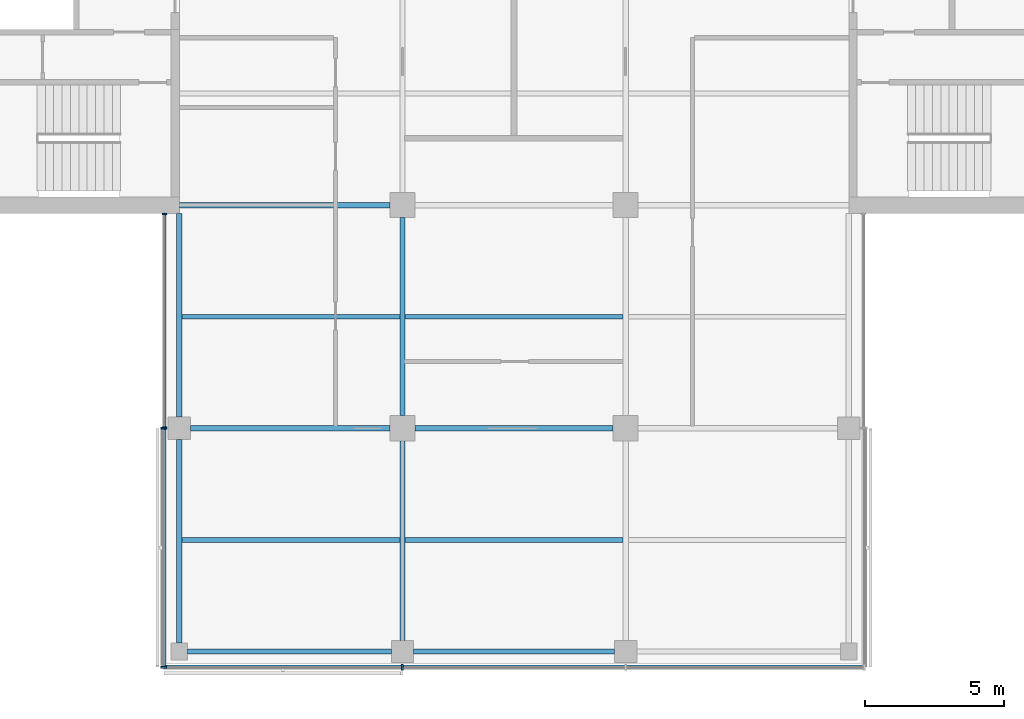
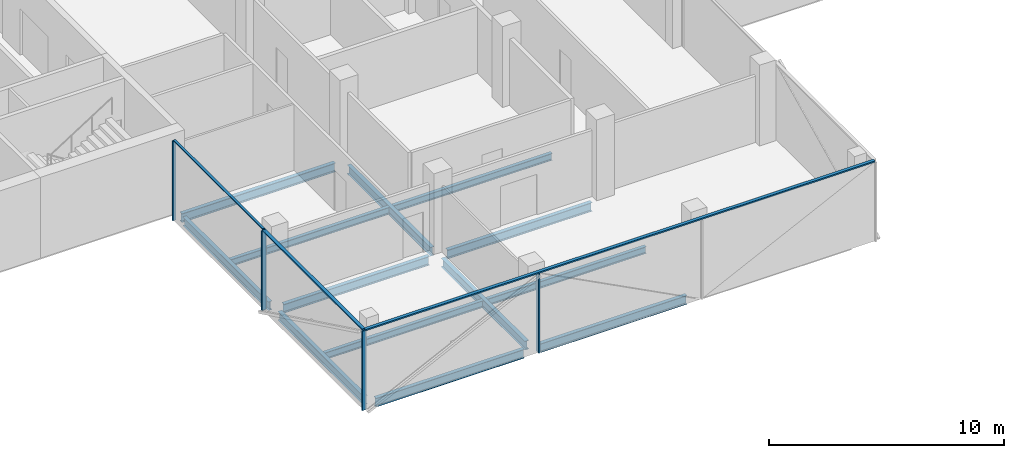
# One storey, part 2 of 15: 13 beams, 8 members, 3 elements without a shape of their own.
"""IFC4 building model written with IfcOpenShell, lengths in metres."""

from ifc_helpers import new_model, si_unit, direction, frame, origin, origin_2d, place, context, subcontext, project, spatial, rectangle, i_section, extrude, material, material_profile, profile_set, type_object, element, aggregate, save


model = new_model("IFC4")

# Units and contexts
model_context = context("Model", 3, precision=1e-05, world=origin(), true_north=direction((0.0, 1.0)))
body_context = subcontext(model_context, "Body", "Model", "MODEL_VIEW")
ifc_project = project(units=[si_unit("LENGTHUNIT", "METRE"), si_unit("AREAUNIT", "SQUARE_METRE"), si_unit("VOLUMEUNIT", "CUBIC_METRE"), si_unit("PLANEANGLEUNIT", "RADIAN"), si_unit("MASSUNIT", "GRAM", prefix="KILO")], contexts=[model_context])

# Site, building, storey
site_placement = place(None, origin())
site = spatial("IfcSite", under=ifc_project, at=site_placement, CompositionType="ELEMENT")
building_placement = place(site_placement, origin())
building = spatial("IfcBuilding", under=site, at=building_placement, Name="Crosswind Convention Tower", CompositionType="ELEMENT")
storey_placement = place(building_placement, frame((0.0, 0.0, 229.300048828125)))
storey = spatial("IfcBuildingStorey", under=building, at=storey_placement, Name="L49", CompositionType="ELEMENT", Elevation=229.300048828125)

# Beams
ifc_material_1 = material(Name="Steel S355", Category="steel")
ifc_material_profile_1 = material_profile(ifc_material_1, i_section(OverallWidth=0.18994140625, OverallDepth=0.45361328125, WebThickness=0.008544921875, FlangeThickness=0.0126953125, FilletRadius=0.01025390625, at=origin_2d()), Name="UB 457x191x67")
ifc_profile_set_1 = profile_set([ifc_material_profile_1], Name="Steel S355")
beam_type_1 = type_object("IfcBeamType", Name="Edge beam UB 457x191x67", PredefinedType="SPANDREL", material=ifc_profile_set_1)
for number, where, z_axis, x_axis, name in (
    (1, (113.0, 72.300048828125, -0.52685546875), (0.0, 1.0, 0.0), (-1.0, 0.0, 0.0), "B16 L49 edge beam 1"),
    (2, (113.0, 80.39990234375, -0.52685546875), (0.0, 1.0, 0.0), (-1.0, 0.0, 0.0), "B16 L49 edge beam 2"),
    (3, (113.300048828125, 72.0, -0.52685546875), (1.0, 0.0, 0.0), (0.0, 1.0, 0.0), "B16 L49 edge beam 5"),
):
    element("IfcBeam", number, at=place(storey_placement, frame(where, z_axis=z_axis, x_axis=x_axis)), inside=storey, type_object=beam_type_1, Name=name, PredefinedType="SPANDREL", context=body_context, shape_type="SweptSolid", body=[
        extrude(i_section(OverallWidth=0.18994140625, OverallDepth=0.45361328125, WebThickness=0.008544921875, FlangeThickness=0.0126953125, FilletRadius=0.01025390625, at=origin_2d()), origin(), (0.0, 0.0, 1.0), 7.300048828125),
    ])
beam_1_placement = place(storey_placement, frame((121.39990234375, 72.0, -0.52685546875), z_axis=(1.0, 0.0, 0.0), x_axis=(0.0, 1.0, 0.0)))
element("IfcBeam", 4, at=beam_1_placement, inside=storey, type_object=beam_type_1, Name="B16 L49 edge beam 7", PredefinedType="SPANDREL", context=body_context, shape_type="SweptSolid", body=[
    extrude(i_section(OverallWidth=0.18994140625, OverallDepth=0.45361328125, WebThickness=0.008544921875, FlangeThickness=0.0126953125, FilletRadius=0.01025390625, at=origin_2d()), origin(), (0.0, 0.0, 1.0), 7.2001953125),
])
ifc_material_profile_2 = material_profile(ifc_material_1, i_section(OverallWidth=0.1904296875, OverallDepth=0.457275390625, WebThickness=0.009033203125, FlangeThickness=0.014404296875, FilletRadius=0.01025390625, at=origin_2d()), Name="UB 457x191x75")
ifc_profile_set_2 = profile_set([ifc_material_profile_2], Name="Steel S355")
beam_type_2 = type_object("IfcBeamType", Name="Girder UB 457x191x75", PredefinedType="BEAM", material=ifc_profile_set_2)
for number, where, z_axis, x_axis, name in (
    (5, (113.39990234375, 80.0, -0.528564453125), (1.0, 0.0, 0.0), (0.0, 1.0, 0.0), "B2 L49 girder 1"),
    (6, (121.0, 72.39990234375, -0.528564453125), (0.0, 1.0, 0.0), (-1.0, 0.0, 0.0), "B2 L49 girder 3"),
):
    element("IfcBeam", number, at=place(storey_placement, frame(where, z_axis=z_axis, x_axis=x_axis)), inside=storey, type_object=beam_type_2, Name=name, PredefinedType="BEAM", context=body_context, shape_type="SweptSolid", body=[
        extrude(i_section(OverallWidth=0.1904296875, OverallDepth=0.457275390625, WebThickness=0.009033203125, FlangeThickness=0.014404296875, FilletRadius=0.01025390625, at=origin_2d()), origin(), (0.0, 0.0, 1.0), 7.150146484375),
    ])
for number, where, z_axis, x_axis, name in (
    (7, (121.0, 80.449951171875, -0.528564453125), (0.0, 1.0, 0.0), (-1.0, 0.0, 0.0), "B2 L49 girder 4"),
    (8, (121.449951171875, 80.0, -0.528564453125), (1.0, 0.0, 0.0), (0.0, 1.0, 0.0), "B2 L49 girder 10"),
):
    element("IfcBeam", number, at=place(storey_placement, frame(where, z_axis=z_axis, x_axis=x_axis)), inside=storey, type_object=beam_type_2, Name=name, PredefinedType="BEAM", context=body_context, shape_type="SweptSolid", body=[
        extrude(i_section(OverallWidth=0.1904296875, OverallDepth=0.457275390625, WebThickness=0.009033203125, FlangeThickness=0.014404296875, FilletRadius=0.01025390625, at=origin_2d()), origin(), (0.0, 0.0, 1.0), 7.10009765625),
    ])
ifc_material_profile_3 = material_profile(ifc_material_1, i_section(OverallWidth=0.19140625, OverallDepth=0.460205078125, WebThickness=0.010009765625, FlangeThickness=0.01611328125, FilletRadius=0.01025390625, at=origin_2d()), Name="UB 457x191x82")
ifc_profile_set_3 = profile_set([ifc_material_profile_3], Name="Steel S355")
beam_type_3 = type_object("IfcBeamType", Name="Girder at core wall UB 457x191x82", PredefinedType="BEAM", material=ifc_profile_set_3)
beam_2_placement = place(storey_placement, frame((113.0, 88.0, -0.530029296875), z_axis=(1.0, 0.0, 0.0), x_axis=(0.0, 1.0, 0.0)))
element("IfcBeam", 9, at=beam_2_placement, inside=storey, type_object=beam_type_3, Name="B23 L49 girder at core wall 1", PredefinedType="BEAM", context=body_context, shape_type="SweptSolid", body=[
    extrude(i_section(OverallWidth=0.19140625, OverallDepth=0.460205078125, WebThickness=0.010009765625, FlangeThickness=0.01611328125, FilletRadius=0.01025390625, at=origin_2d()), origin(), (0.0, 0.0, 1.0), 7.550048828125),
])

# Curtain wall, members
ifc_material_2 = material(Name="Aluminium unitised curtain wall", Category="aluminium")
curtain_wall_type_1 = type_object("IfcCurtainWallType", Name="CORE END SLOT WALL 160", PredefinedType="USERDEFINED", material=ifc_material_2)
curtain_wall_1_placement = place(storey_placement, origin())
curtain_wall_1 = element("IfcCurtainWall", 10, at=curtain_wall_1_placement, inside=storey, type_object=curtain_wall_type_1, Name="CW6 L49 S-W.1-1 slot", ObjectType="UNITISED", PredefinedType="USERDEFINED")
ifc_material_3 = material(Name="Aluminium mullion", Category="aluminium")
ifc_material_profile_4 = material_profile(ifc_material_3, rectangle(XDim=0.159912109375, YDim=0.050048828125, at=origin_2d()), Name="AL 160X50")
ifc_profile_set_4 = profile_set([ifc_material_profile_4], Name="Aluminium mullion")
member_type_1 = type_object("IfcMemberType", Name="MULLION 50X160", PredefinedType="MULLION", material=ifc_profile_set_4)
member_1_placement = place(storey_placement, frame((112.469970703125, 87.675048828125, -0.300048828125), z_axis=(0.0, 0.0, 1.0), x_axis=(-1.0, 0.0, 0.0)))
member_1 = element("IfcMember", 11, at=member_1_placement, type_object=member_type_1, Name="CW6 mullion 1", PredefinedType="MULLION", context=body_context, shape_type="SweptSolid", body=[
    extrude(rectangle(XDim=0.159912109375, YDim=0.050048828125, at=origin_2d()), origin(), (0.0, 0.0, 1.0), 4.14990234375),
])
member_2_placement = place(storey_placement, frame((112.469970703125, 80.02490234375, -0.300048828125), z_axis=(0.0, 0.0, 1.0), x_axis=(-1.0, 0.0, 0.0)))
member_2 = element("IfcMember", 12, at=member_2_placement, type_object=member_type_1, Name="CW6 mullion 2", PredefinedType="MULLION", context=body_context, shape_type="SweptSolid", body=[
    extrude(rectangle(XDim=0.159912109375, YDim=0.050048828125, at=origin_2d()), origin(), (0.0, 0.0, 1.0), 4.14990234375),
])

curtain_wall_type_2 = type_object("IfcCurtainWallType", Name="OFFICE UNITISED WALL 220", PredefinedType="USERDEFINED", material=ifc_material_2)
curtain_wall_2_placement = place(storey_placement, origin())
curtain_wall_2 = element("IfcCurtainWall", 13, at=curtain_wall_2_placement, inside=storey, type_object=curtain_wall_type_2, Name="CW3 L49 S-W 1", ObjectType="UNITISED", PredefinedType="USERDEFINED")
ifc_material_profile_5 = material_profile(ifc_material_3, rectangle(XDim=0.219970703125, YDim=0.070068359375, at=origin_2d()), Name="AL 220X70")
ifc_profile_set_5 = profile_set([ifc_material_profile_5], Name="Aluminium mullion")
member_type_2 = type_object("IfcMemberType", Name="MULLION 70X220", PredefinedType="MULLION", material=ifc_profile_set_5)
member_3_placement = place(storey_placement, frame((112.43994140625, 80.0, -0.300048828125), z_axis=(0.0, 0.0, 1.0), x_axis=(-1.0, 0.0, 0.0)))
member_3 = element("IfcMember", 14, at=member_3_placement, type_object=member_type_2, Name="CW3 mullion 1", PredefinedType="MULLION", context=body_context, shape_type="SweptSolid", body=[
    extrude(rectangle(XDim=0.219970703125, YDim=0.070068359375, at=origin_2d()), origin(), (0.0, 0.0, 1.0), 4.1298828125),
])
member_4_placement = place(storey_placement, frame((112.43994140625, 71.43994140625, -0.300048828125), z_axis=(0.0, 0.0, 1.0), x_axis=(-1.0, 0.0, 0.0)))
member_4 = element("IfcMember", 15, at=member_4_placement, type_object=member_type_2, Name="CW3 mullion 2", PredefinedType="MULLION", context=body_context, shape_type="SweptSolid", body=[
    extrude(rectangle(XDim=0.219970703125, YDim=0.070068359375, at=origin_2d()), origin(), (0.0, 0.0, 1.0), 4.1298828125),
])

# Curtain wall, member
curtain_wall_3_placement = place(storey_placement, origin())
curtain_wall_3 = element("IfcCurtainWall", 16, at=curtain_wall_3_placement, inside=storey, type_object=curtain_wall_type_2, Name="CW3 L49 S-TIP 1", ObjectType="UNITISED", PredefinedType="USERDEFINED")
member_5_placement = place(storey_placement, frame((121.0, 71.43994140625, -0.300048828125), z_axis=(0.0, 0.0, 1.0), x_axis=(0.0, -1.0, 0.0)))
member_5 = element("IfcMember", 17, at=member_5_placement, type_object=member_type_2, Name="CW3 mullion 2", PredefinedType="MULLION", context=body_context, shape_type="SweptSolid", body=[
    extrude(rectangle(XDim=0.219970703125, YDim=0.070068359375, at=origin_2d()), origin(), (0.0, 0.0, 1.0), 4.1298828125),
])

# Beams
ifc_material_profile_6 = material_profile(ifc_material_1, i_section(OverallWidth=0.172119140625, OverallDepth=0.358642578125, WebThickness=0.008056640625, FlangeThickness=0.012939453125, FilletRadius=0.01025390625, at=origin_2d()), Name="UB 356x171x57")
ifc_profile_set_6 = profile_set([ifc_material_profile_6], Name="Steel S355")
beam_type_4 = type_object("IfcBeamType", Name="Secondary beam UB 356x171x57", PredefinedType="JOIST", material=ifc_profile_set_6)
for number, where, z_axis, x_axis, name in (
    (18, (113.094970703125, 76.0, -0.479248046875), (1.0, 0.0, 0.0), (0.0, 1.0, 0.0), "B9 L49 secondary beam 4"),
    (19, (113.094970703125, 84.0, -0.479248046875), (1.0, 0.0, 0.0), (0.0, 1.0, 0.0), "B9 L49 secondary beam 5"),
):
    element("IfcBeam", number, at=place(storey_placement, frame(where, z_axis=z_axis, x_axis=x_axis)), inside=storey, type_object=beam_type_4, Name=name, PredefinedType="JOIST", context=body_context, shape_type="SweptSolid", body=[
        extrude(i_section(OverallWidth=0.172119140625, OverallDepth=0.358642578125, WebThickness=0.008056640625, FlangeThickness=0.012939453125, FilletRadius=0.01025390625, at=origin_2d()), origin(), (0.0, 0.0, 1.0), 7.809814453125),
    ])
for number, where, z_axis, x_axis, name in (
    (20, (121.09521484375, 76.0, -0.479248046875), (1.0, 0.0, 0.0), (0.0, 1.0, 0.0), "B9 L49 secondary beam 8"),
    (21, (121.09521484375, 84.0, -0.479248046875), (1.0, 0.0, 0.0), (0.0, 1.0, 0.0), "B9 L49 secondary beam 9"),
):
    element("IfcBeam", number, at=place(storey_placement, frame(where, z_axis=z_axis, x_axis=x_axis)), inside=storey, type_object=beam_type_4, Name=name, PredefinedType="JOIST", context=body_context, shape_type="SweptSolid", body=[
        extrude(i_section(OverallWidth=0.172119140625, OverallDepth=0.358642578125, WebThickness=0.008056640625, FlangeThickness=0.012939453125, FilletRadius=0.01025390625, at=origin_2d()), origin(), (0.0, 0.0, 1.0), 7.8095703125),
    ])

# Member
ifc_material_4 = material(Name="Aluminium transom", Category="aluminium")
ifc_material_profile_7 = material_profile(ifc_material_4, rectangle(XDim=0.1201171875, YDim=0.050048828125, at=origin_2d()), Name="AL 120X50")
ifc_profile_set_7 = profile_set([ifc_material_profile_7], Name="Aluminium transom")
member_type_3 = type_object("IfcMemberType", Name="TRANSOM 50X120", PredefinedType="USERDEFINED", material=ifc_profile_set_7)
member_6_placement = place(storey_placement, frame((112.469970703125, 87.64990234375, 3.875), z_axis=(0.0, -1.0, 0.0), x_axis=(1.0, 0.0, 0.0)))
member_6 = element("IfcMember", 22, at=member_6_placement, type_object=member_type_3, Name="CW6 transom", ObjectType="TRANSOM", PredefinedType="USERDEFINED", context=body_context, shape_type="SweptSolid", body=[
    extrude(rectangle(XDim=0.1201171875, YDim=0.050048828125, at=origin_2d()), origin(), (0.0, 0.0, 1.0), 7.599853515625),
])

aggregate(curtain_wall_1, [member_1, member_2, member_6])

ifc_material_profile_8 = material_profile(ifc_material_4, rectangle(XDim=0.159912109375, YDim=0.070068359375, at=origin_2d()), Name="AL 160X70")
ifc_profile_set_8 = profile_set([ifc_material_profile_8], Name="Aluminium transom")
member_type_4 = type_object("IfcMemberType", Name="TRANSOM 70X160", PredefinedType="USERDEFINED", material=ifc_profile_set_8)
member_7_placement = place(storey_placement, frame((112.43994140625, 79.965087890625, 3.864990234375), z_axis=(0.0, -1.0, 0.0), x_axis=(1.0, 0.0, 0.0)))
member_7 = element("IfcMember", 23, at=member_7_placement, type_object=member_type_4, Name="CW3 transom", ObjectType="TRANSOM", PredefinedType="USERDEFINED", context=body_context, shape_type="SweptSolid", body=[
    extrude(rectangle(XDim=0.159912109375, YDim=0.070068359375, at=origin_2d()), origin(), (0.0, 0.0, 1.0), 8.489990234375),
])

aggregate(curtain_wall_2, [member_3, member_4, member_7])

member_8_placement = place(storey_placement, frame((112.47509765625, 71.43994140625, 3.864990234375), z_axis=(1.0, 0.0, 0.0), x_axis=(0.0, 1.0, 0.0)))
member_8 = element("IfcMember", 24, at=member_8_placement, type_object=member_type_4, Name="CW3 transom", ObjectType="TRANSOM", PredefinedType="USERDEFINED", context=body_context, shape_type="SweptSolid", body=[
    extrude(rectangle(XDim=0.159912109375, YDim=0.070068359375, at=origin_2d()), origin(), (0.0, 0.0, 1.0), 25.0498046875),
])

aggregate(curtain_wall_3, [member_5, member_8])

save(model, "model.ifc")
